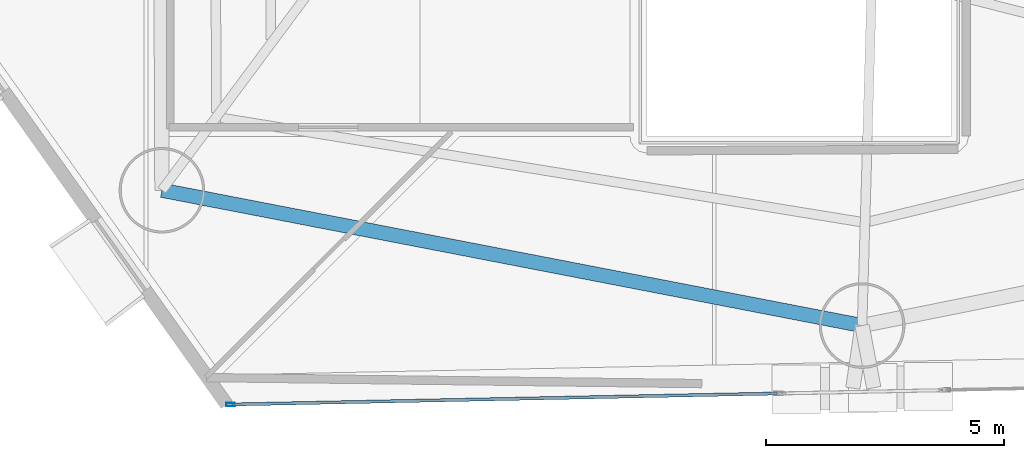
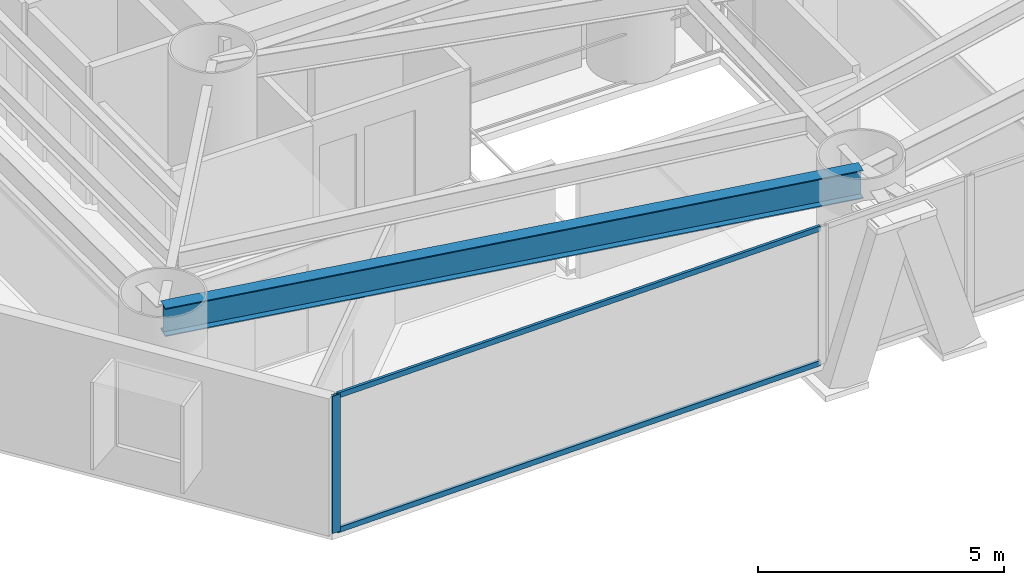
# One storey, part 2 of 22: 3 members, 1 beam, 1 element without a shape of its own.
"""IFC4 building model written with IfcOpenShell, lengths in metres."""

import ifcopenshell
import ifcopenshell.guid

model = None  # the IFC model being written
_history = None  # IfcOwnerHistory: only IFC2X3 demands one
_inside = {}  # id of a spatial element -> (the spatial element, [elements in it])
_under = {}  # id of a project, library or spatial element -> (it, [spatial elements below it])
_declared = {}  # id of a project -> (the project, [libraries it declares])
_typed = {}  # id of a type object -> (the type object, [elements of that type])
_made_of = {}  # id of a material, layer set ... -> (it, [elements and type objects made of it])


def new_model(schema):
    """Start an empty IFC model of exactly this schema.

    Asked for "IFC4X3", IfcOpenShell would pick the latest addendum, in which some entities
    have other attributes; the version numbers below select the first issue.
    IFC2X3 requires an IfcOwnerHistory on every rooted entity: one is made here for all.
    """
    global model, _history
    if schema == "IFC4X3":
        model = ifcopenshell.file(schema_version=(4, 3, 0, 0))
    else:
        model = ifcopenshell.file(schema=schema)
    _inside.clear()
    _under.clear()
    _declared.clear()
    _typed.clear()
    _made_of.clear()
    _history = None
    if model.schema == "IFC2X3":
        org = make("IfcOrganization", Name="unknown")
        user = make(
            "IfcPersonAndOrganization",
            ThePerson=make("IfcPerson", FamilyName="unknown"),
            TheOrganization=org,
        )
        app = make(
            "IfcApplication",
            ApplicationDeveloper=org,
            Version="unknown",
            ApplicationFullName="unknown",
            ApplicationIdentifier="unknown",
        )
        _history = make(
            "IfcOwnerHistory",
            OwningUser=user,
            OwningApplication=app,
            ChangeAction="ADDED",
            CreationDate=0,
        )
    return model


def make(cls, **values):
    """One entity of the class cls with the attributes given. An attribute that is None is left unset."""
    return model.create_entity(
        cls, **{name: value for name, value in values.items() if value is not None}
    )


def rooted(cls, **values):
    """An entity with a GlobalId (a new one), such as an element, a storey or a relation."""
    return make(cls, GlobalId=ifcopenshell.guid.new(), OwnerHistory=_history, **values)


def si_unit(unit_type, name, prefix=None):
    """IfcSIUnit, for example si_unit("LENGTHUNIT", "METRE", prefix="MILLI")."""
    return make("IfcSIUnit", UnitType=unit_type, Prefix=prefix, Name=name)


def assignment(units):
    """IfcUnitAssignment: the units of a project."""
    return None if units is None else make("IfcUnitAssignment", Units=units)


def point(xyz):
    """IfcCartesianPoint."""
    return None if xyz is None else make("IfcCartesianPoint", Coordinates=xyz)


def direction(xyz):
    """IfcDirection."""
    return None if xyz is None else make("IfcDirection", DirectionRatios=xyz)


def frame(location, z_axis=None, x_axis=None):
    """IfcAxis2Placement3D, a coordinate frame: its origin and axes. An axis left out is left unset."""
    return make(
        "IfcAxis2Placement3D",
        Location=point(location),
        Axis=direction(z_axis),
        RefDirection=direction(x_axis),
    )


def frame_2d(location, x_axis=None):
    """IfcAxis2Placement2D, a coordinate frame in the plane: its origin and x axis."""
    return make(
        "IfcAxis2Placement2D", Location=point(location), RefDirection=direction(x_axis)
    )


def origin():
    """The frame at (0, 0, 0) with its axes left unset."""
    return frame((0.0, 0.0, 0.0))


def origin_2d():
    """The frame at (0, 0) in the plane with its x axis left unset."""
    return frame_2d((0.0, 0.0))


def place(relative_to, where):
    """IfcLocalPlacement: puts the frame where relative to a parent placement (None: the world)."""
    return make(
        "IfcLocalPlacement", PlacementRelTo=relative_to, RelativePlacement=where
    )


def context(
    kind, dimensions, precision=None, world=None, true_north=None, identifier=None
):
    """IfcGeometricRepresentationContext, for example the 3D "Model" context."""
    return make(
        "IfcGeometricRepresentationContext",
        ContextIdentifier=identifier,
        ContextType=kind,
        CoordinateSpaceDimension=dimensions,
        Precision=precision,
        WorldCoordinateSystem=world,
        TrueNorth=true_north,
    )


def subcontext(parent, identifier, kind, view, scale=None):
    """IfcGeometricRepresentationSubContext, for example "Body" below "Model"."""
    return make(
        "IfcGeometricRepresentationSubContext",
        ContextIdentifier=identifier,
        ContextType=kind,
        ParentContext=parent,
        TargetScale=scale,
        TargetView=view,
    )


def project(units=None, contexts=None):
    """IfcProject with its units and contexts."""
    return rooted(
        "IfcProject",
        Name="project",
        RepresentationContexts=contexts,
        UnitsInContext=assignment(units),
    )


def spatial(cls, under=None, at=None, **own):
    """A site, building, storey or space (cls), placed at a placement, below another one or the project."""
    s = rooted(cls, ObjectPlacement=at, **own)
    if under is not None:
        _under.setdefault(under.id(), (under, []))[1].append(s)
    return s


def profile(cls, at=None, kind="AREA", **sizes):
    """A parametric profile (cls). Its sizes go by their IFC names, for example OverallWidth=200.0."""
    return make(cls, ProfileType=kind, Position=at, **sizes)


def hollow_rectangle(**sizes):
    """IfcRectangleHollowProfileDef."""
    return profile("IfcRectangleHollowProfileDef", **sizes)


def i_section(**sizes):
    """IfcIShapeProfileDef."""
    return profile("IfcIShapeProfileDef", **sizes)


def extrude(swept, where, along, depth):
    """IfcExtrudedAreaSolid: the profile swept, set in the frame where, extruded along a direction by depth."""
    return make(
        "IfcExtrudedAreaSolid",
        SweptArea=swept,
        Position=where,
        ExtrudedDirection=direction(along),
        Depth=depth,
    )


def shape(context_of_items, identifier, shape_type, items):
    """IfcShapeRepresentation: the items that make up one representation, for example the "Body"."""
    return make(
        "IfcShapeRepresentation",
        ContextOfItems=context_of_items,
        RepresentationIdentifier=identifier,
        RepresentationType=shape_type,
        Items=items,
    )


def material(Name=None, Category=None):
    """IfcMaterial."""
    return make("IfcMaterial", Name=Name, Category=Category)


def layer(
    of_material, thickness, ventilated=None, Name=None, Category=None, Priority=None
):
    """IfcMaterialLayer: one layer of a wall or slab, of a material (None: an air gap)."""
    return make(
        "IfcMaterialLayer",
        Material=of_material,
        LayerThickness=thickness,
        IsVentilated=ventilated,
        Name=Name,
        Category=Category,
        Priority=Priority,
    )


def layer_set(layers, Name=None):
    """IfcMaterialLayerSet."""
    return make("IfcMaterialLayerSet", MaterialLayers=layers, LayerSetName=Name)


def material_profile(
    of_material, cross_section, Name=None, Category=None, Priority=None
):
    """IfcMaterialProfile: a cross section and its material."""
    return make(
        "IfcMaterialProfile",
        Name=Name,
        Material=of_material,
        Profile=cross_section,
        Priority=Priority,
        Category=Category,
    )


def profile_set(profiles, Name=None, composite=None):
    """IfcMaterialProfileSet."""
    return make(
        "IfcMaterialProfileSet",
        Name=Name,
        MaterialProfiles=profiles,
        CompositeProfile=composite,
    )


def made_of(thing, what):
    """Note that an element or type object is made of a material, layer set ...; save() writes the relation."""
    if what is not None:
        _made_of.setdefault(what.id(), (what, []))[1].append(thing)
    return thing


def type_object(cls, material=None, **own):
    """A type object (cls), such as IfcWallType, which elements share."""
    return made_of(rooted(cls, **own), material)


def element(
    cls,
    number,
    at=None,
    inside=None,
    cuts=None,
    type_object=None,
    material=None,
    context=None,
    identifier="Body",
    shape_type=None,
    held_by="IfcProductDefinitionShape",
    body=None,
    shapes=None,
    **own,
):
    """One element of the class cls, such as IfcWall. Its Tag is "e" and its number.

    at: its placement. inside: the storey or other place that contains it. cuts: it is an
    opening in that element (IfcRelVoidsElement). A single representation is given by context,
    identifier, shape_type and body (its items); several are given by shapes. held_by: the class
    of the entity that holds the representations. save() writes the other relations.
    """
    e = rooted(cls, Tag="e%d" % number, ObjectPlacement=at, **own)
    if body is not None:
        shapes = [shape(context, identifier, shape_type, body)]
    if shapes is not None:
        e.Representation = make(held_by, Representations=shapes)
    if inside is not None:
        _inside.setdefault(inside.id(), (inside, []))[1].append(e)
    if cuts is not None:
        rooted(
            "IfcRelVoidsElement", RelatingBuildingElement=cuts, RelatedOpeningElement=e
        )
    if type_object is not None:
        _typed.setdefault(type_object.id(), (type_object, []))[1].append(e)
    return made_of(e, material)


def aggregate(whole, parts):
    """IfcRelAggregates: a whole, such as a stair, and the parts it consists of."""
    return rooted("IfcRelAggregates", RelatingObject=whole, RelatedObjects=parts)


def save(model, path):
    """Write the relations noted so far, then the file.

    IfcRelAggregates (storeys below a building ...), IfcRelContainedInSpatialStructure (elements
    in a storey), IfcRelDefinesByType, IfcRelAssociatesMaterial and IfcRelDeclares: one each for
    every whole, place, type object, material and project.
    """
    for whole, parts in _under.values():
        aggregate(whole, parts)
    for where, things in _inside.values():
        rooted(
            "IfcRelContainedInSpatialStructure",
            RelatedElements=things,
            RelatingStructure=where,
        )
    for kind, things in _typed.values():
        rooted("IfcRelDefinesByType", RelatedObjects=things, RelatingType=kind)
    for what, things in _made_of.values():
        rooted("IfcRelAssociatesMaterial", RelatedObjects=things, RelatingMaterial=what)
    for by, libraries in _declared.values():
        rooted("IfcRelDeclares", RelatingContext=by, RelatedDefinitions=libraries)
    model.write(path)


model = new_model("IFC4")

# Units and contexts
model_context = context("Model", 3, precision=1e-05, world=origin(), true_north=direction((0.0, 1.0)))
body_context = subcontext(model_context, "Body", "Model", "MODEL_VIEW")
ifc_project = project(units=[si_unit("LENGTHUNIT", "METRE"), si_unit("AREAUNIT", "SQUARE_METRE"), si_unit("VOLUMEUNIT", "CUBIC_METRE"), si_unit("PLANEANGLEUNIT", "RADIAN"), si_unit("MASSUNIT", "GRAM", prefix="KILO")], contexts=[model_context])

# Site, building, storey
site_placement = place(None, origin())
site = spatial("IfcSite", under=ifc_project, at=site_placement, CompositionType="ELEMENT")
building_placement = place(site_placement, origin())
building = spatial("IfcBuilding", under=site, at=building_placement, Name="Qianvela Tower", CompositionType="ELEMENT")
storey_placement = place(building_placement, frame((0.0, 0.0, 44.199951171875)))
storey = spatial("IfcBuildingStorey", under=building, at=storey_placement, Name="L10", CompositionType="ELEMENT", Elevation=44.199951171875)

# Beam
ifc_material_1 = material(Name="Steel Q355B", Category="steel")
ifc_material_profile_1 = material_profile(ifc_material_1, i_section(OverallWidth=0.300048828125, OverallDepth=0.699951171875, WebThickness=0.012939453125, FlangeThickness=0.02392578125, at=origin_2d()), Name="HN700x300x13x24")
ifc_profile_set_1 = profile_set([ifc_material_profile_1], Name="Steel Q355B")
beam_type = type_object("IfcBeamType", Name="BM-HN700-SPAND", PredefinedType="SPANDREL", material=ifc_profile_set_1)
beam_placement = place(storey_placement, frame((23.404052734375, 16.860107421875, 3.048095703125), z_axis=(0.981833040292, -0.189746886646, 0.0), x_axis=(0.189746886646, 0.981833040292, 0.0)))
element("IfcBeam", 1, at=beam_placement, inside=storey, type_object=beam_type, Name="L10 Perimeter Ring Spandrel Girder 5", PredefinedType="SPANDREL", context=body_context, shape_type="SweptSolid", body=[
    extrude(i_section(OverallWidth=0.300048828125, OverallDepth=0.699951171875, WebThickness=0.012939453125, FlangeThickness=0.02392578125, at=origin_2d()), origin(), (0.0, 0.0, 1.0), 14.98828125),
])

# Curtain wall, members
ifc_material_2 = material(Name="Anodised Architectural Aluminium and Low-E Glass", Category="aluminium")
ifc_layer = layer(ifc_material_2, 0.179931640625)
ifc_layer_set = layer_set([ifc_layer], Name="Anodised Architectural Aluminium and Low-E Glass")
curtain_wall_type = type_object("IfcCurtainWallType", Name="CW-COLIV-Z12", PredefinedType="USERDEFINED", material=ifc_layer_set)
curtain_wall_placement = place(storey_placement, origin())
curtain_wall = element("IfcCurtainWall", 2, at=curtain_wall_placement, inside=storey, type_object=curtain_wall_type, Name="L10 CW-COLIV-Z12 Curtain Wall 06A", ObjectType="CURTAIN_WALL_SYSTEM", PredefinedType="USERDEFINED")
ifc_material_3 = material(Name="Anodised Architectural Aluminium 6063-T6", Category="aluminium")
ifc_material_profile_2 = material_profile(ifc_material_3, hollow_rectangle(XDim=0.070068359375, YDim=0.179931640625, WallThickness=0.0048828125, at=origin_2d()), Name="ALU-MULL-70x180")
ifc_profile_set_2 = profile_set([ifc_material_profile_2], Name="Anodised Architectural Aluminium 6063-T6")
member_type_1 = type_object("IfcMemberType", Name="CW-COLIV-Z12-MULL", PredefinedType="MULLION", material=ifc_profile_set_2)
member_1_placement = place(storey_placement, frame((24.849609375, 12.356689453125, 0.0), z_axis=(0.0, 0.0, 1.0), x_axis=(-0.020120886959, 0.999797554462, 0.0)))
member_1 = element("IfcMember", 3, at=member_1_placement, type_object=member_type_1, Name="CW-3 mullion 1", PredefinedType="MULLION", context=body_context, shape_type="SweptSolid", body=[
    extrude(hollow_rectangle(XDim=0.070068359375, YDim=0.179931640625, WallThickness=0.0048828125, at=origin_2d()), origin(), (0.0, 0.0, 1.0), 3.400146484375),
])
ifc_material_4 = material(Name="Anodised Architectural Aluminium 6063-T6", Category="aluminium")
ifc_material_profile_3 = material_profile(ifc_material_4, hollow_rectangle(XDim=0.06494140625, YDim=0.1298828125, WallThickness=0.00439453125, at=origin_2d()), Name="ALU-TRAN-65x130")
ifc_profile_set_3 = profile_set([ifc_material_profile_3], Name="Anodised Architectural Aluminium 6063-T6")
member_type_2 = type_object("IfcMemberType", Name="CW-COLIV-Z12-TRAN", PredefinedType="USERDEFINED", material=ifc_profile_set_3)
member_2_placement = place(storey_placement, frame((24.884521484375, 12.357421875, 0.032470703125), z_axis=(0.999797399714, 0.020128574833, 0.0), x_axis=(-0.020128574833, 0.999797399714, 0.0)))
member_2 = element("IfcMember", 4, at=member_2_placement, type_object=member_type_2, Name="CW-3 transom 1.1", ObjectType="TRANSOM", PredefinedType="USERDEFINED", context=body_context, shape_type="SweptSolid", body=[
    extrude(hollow_rectangle(XDim=0.06494140625, YDim=0.1298828125, WallThickness=0.00439453125, at=origin_2d()), origin(), (0.0, 0.0, 1.0), 11.449951171875),
])
member_3_placement = place(storey_placement, frame((24.884521484375, 12.357421875, 3.367431640625), z_axis=(0.999797399714, 0.020128574833, 0.0), x_axis=(-0.020128574833, 0.999797399714, 0.0)))
member_3 = element("IfcMember", 5, at=member_3_placement, type_object=member_type_2, Name="CW-3 transom 1.2", ObjectType="TRANSOM", PredefinedType="USERDEFINED", context=body_context, shape_type="SweptSolid", body=[
    extrude(hollow_rectangle(XDim=0.06494140625, YDim=0.1298828125, WallThickness=0.00439453125, at=origin_2d()), origin(), (0.0, 0.0, 1.0), 11.449951171875),
])
aggregate(curtain_wall, [member_1, member_2, member_3])

save(model, "model.ifc")
